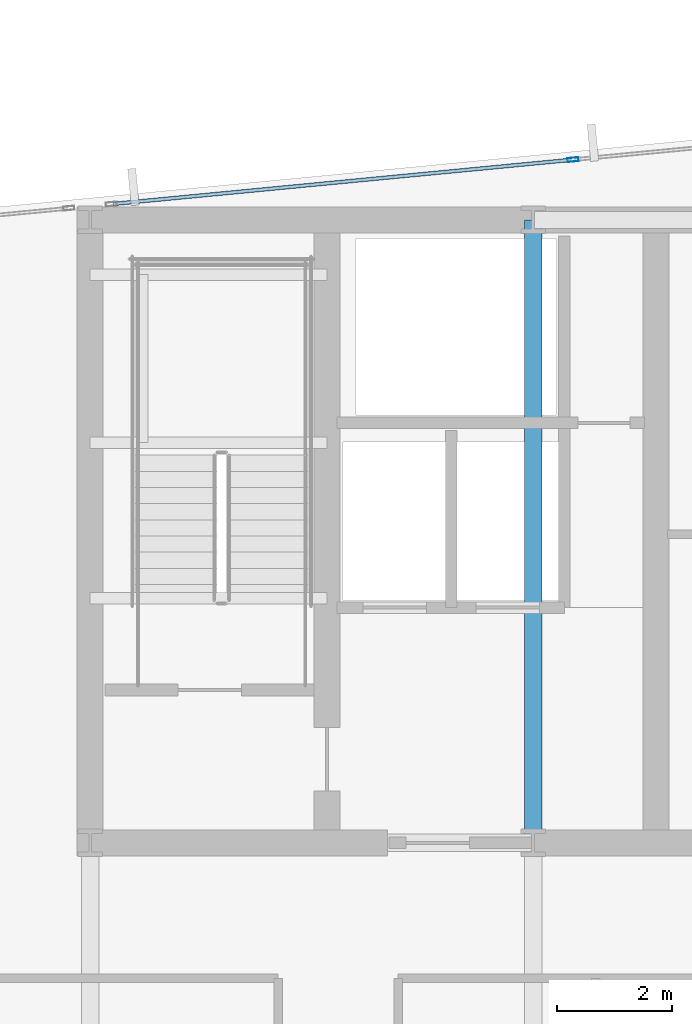
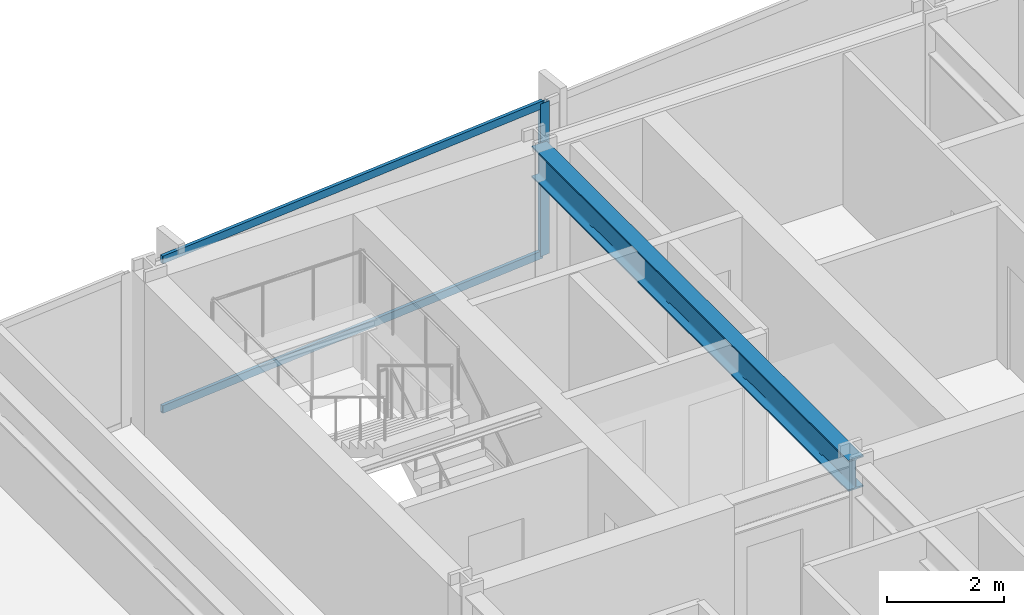
# One storey, part 18 of 33: 3 members, 1 beam, 1 element without a shape of its own.
"""IFC4 building model written with IfcOpenShell, lengths in metres."""

from ifc_helpers import new_model, si_unit, direction, frame, origin, origin_2d, place, context, subcontext, project, spatial, hollow_rectangle, i_section, extrude, material, material_profile, profile_set, type_object, element, aggregate, save


model = new_model("IFC4")

# Units and contexts
model_context = context("Model", 3, precision=1e-05, world=origin(), true_north=direction((0.0, 1.0)))
body_context = subcontext(model_context, "Body", "Model", "MODEL_VIEW")
ifc_project = project(units=[si_unit("LENGTHUNIT", "METRE"), si_unit("AREAUNIT", "SQUARE_METRE"), si_unit("VOLUMEUNIT", "CUBIC_METRE"), si_unit("PLANEANGLEUNIT", "RADIAN"), si_unit("MASSUNIT", "GRAM", prefix="KILO")], contexts=[model_context])

# Site, building, storey
site_placement = place(None, origin())
site = spatial("IfcSite", under=ifc_project, at=site_placement, CompositionType="ELEMENT")
building_placement = place(site_placement, origin())
building = spatial("IfcBuilding", under=site, at=building_placement, Name="Yelkora Congress Tower", CompositionType="ELEMENT")
storey_placement = place(building_placement, frame((0.0, 0.0, 106.699951171875)))
storey = spatial("IfcBuildingStorey", under=building, at=storey_placement, Name="L28", CompositionType="ELEMENT", Elevation=106.699951171875)

# Beam
ifc_material_1 = material(Name="Steel S355J2", Category="steel")
ifc_material_profile_1 = material_profile(ifc_material_1, i_section(OverallWidth=0.300048828125, OverallDepth=0.64990234375, WebThickness=0.01611328125, FlangeThickness=0.031005859375, FilletRadius=0.027099609375, at=origin_2d()), Name="HEB 650")
ifc_profile_set_1 = profile_set([ifc_material_profile_1], Name="Steel S355J2")
beam_type = type_object("IfcBeamType", Name="BM-GIRD-HEB650", PredefinedType="BEAM", material=ifc_profile_set_1)
beam_placement = place(storey_placement, frame((30.719970703125, 35.39990234375, 2.85498046875), z_axis=(0.0, 1.0, 0.0), x_axis=(-1.0, 0.0, 0.0)))
element("IfcBeam", 1, at=beam_placement, inside=storey, type_object=beam_type, Name="L28 Core Tie Girder MC-S2", PredefinedType="BEAM", context=body_context, shape_type="SweptSolid", body=[
    extrude(i_section(OverallWidth=0.300048828125, OverallDepth=0.64990234375, WebThickness=0.01611328125, FlangeThickness=0.031005859375, FilletRadius=0.027099609375, at=origin_2d()), origin(), (0.0, 0.0, 1.0), 10.800048828125),
])

# Curtain wall, members
ifc_material_2 = material(Name="Anodised aluminium and insulated glass", Category="aluminium")
curtain_wall_type = type_object("IfcCurtainWallType", Name="CW-SYS-B2", PredefinedType="NOTDEFINED", material=ifc_material_2)
curtain_wall_placement = place(storey_placement, origin())
curtain_wall = element("IfcCurtainWall", 2, at=curtain_wall_placement, inside=storey, type_object=curtain_wall_type, Name="L28 Unitised Curtain Wall 10 (3)", PredefinedType="NOTDEFINED")
ifc_material_3 = material(Name="Anodised aluminium 6063-T6", Category="aluminium")
ifc_material_profile_2 = material_profile(ifc_material_3, hollow_rectangle(XDim=0.070068359375, YDim=0.18994140625, WallThickness=0.00390625, at=origin_2d()), Name="ALU 70x190x4")
ifc_profile_set_2 = profile_set([ifc_material_profile_2], Name="Anodised aluminium 6063-T6")
member_type_1 = type_object("IfcMemberType", Name="MEM-ML-B2", PredefinedType="MULLION", material=ifc_profile_set_2)
member_1_placement = place(storey_placement, frame((31.411865234375, 47.244140625, 0.0), z_axis=(0.0, 0.0, 1.0), x_axis=(-0.095844238468, 0.995396344153, 0.0)))
member_1 = element("IfcMember", 3, at=member_1_placement, type_object=member_type_1, Name="CW-B2 mullion 2", PredefinedType="MULLION", context=body_context, shape_type="SweptSolid", body=[
    extrude(hollow_rectangle(XDim=0.070068359375, YDim=0.18994140625, WallThickness=0.00390625, at=origin_2d()), origin(), (0.0, 0.0, 1.0), 3.179931640625),
])
ifc_material_profile_3 = material_profile(ifc_material_3, hollow_rectangle(XDim=0.06494140625, YDim=0.159912109375, WallThickness=0.00390625, at=origin_2d()), Name="ALU 65x160x4")
ifc_profile_set_3 = profile_set([ifc_material_profile_3], Name="Anodised aluminium 6063-T6")
member_type_2 = type_object("IfcMemberType", Name="MEM-TR-B2", PredefinedType="USERDEFINED", material=ifc_profile_set_3)
member_2_placement = place(storey_placement, frame((23.441650390625, 46.476806640625, 0.032470703125), z_axis=(0.995398474706, 0.09582210889, 0.0), x_axis=(-0.09582210889, 0.995398474706, 0.0)))
member_2 = element("IfcMember", 4, at=member_2_placement, type_object=member_type_2, Name="CW-B2 transom 1.1", ObjectType="TRANSOM", PredefinedType="USERDEFINED", context=body_context, shape_type="SweptSolid", body=[
    extrude(hollow_rectangle(XDim=0.06494140625, YDim=0.159912109375, WallThickness=0.00390625, at=origin_2d()), origin(), (0.0, 0.0, 1.0), 7.97216796875),
])
member_3_placement = place(storey_placement, frame((23.441650390625, 46.476806640625, 3.1474609375), z_axis=(0.995398474706, 0.09582210889, 0.0), x_axis=(-0.09582210889, 0.995398474706, 0.0)))
member_3 = element("IfcMember", 5, at=member_3_placement, type_object=member_type_2, Name="CW-B2 transom 1.2", ObjectType="TRANSOM", PredefinedType="USERDEFINED", context=body_context, shape_type="SweptSolid", body=[
    extrude(hollow_rectangle(XDim=0.06494140625, YDim=0.159912109375, WallThickness=0.00390625, at=origin_2d()), origin(), (0.0, 0.0, 1.0), 7.97216796875),
])
aggregate(curtain_wall, [member_1, member_2, member_3])

save(model, "model.ifc")
